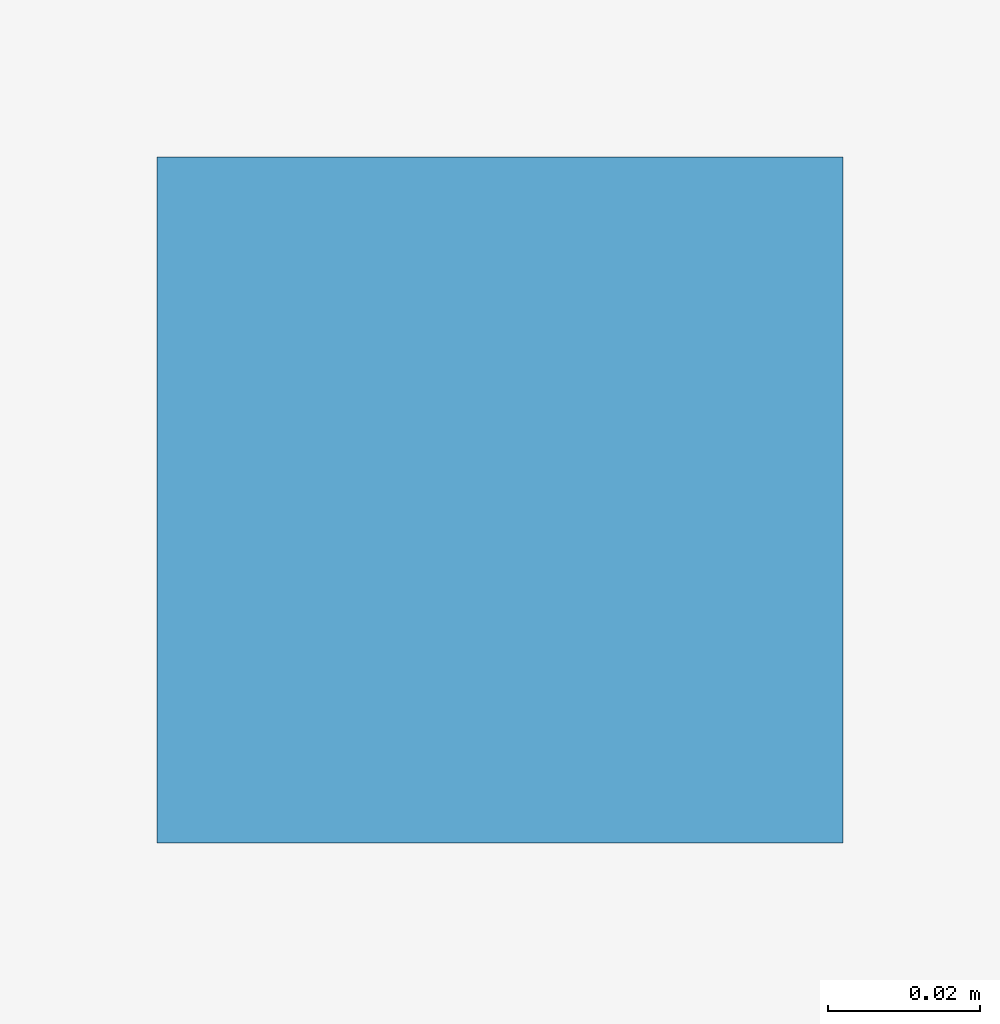
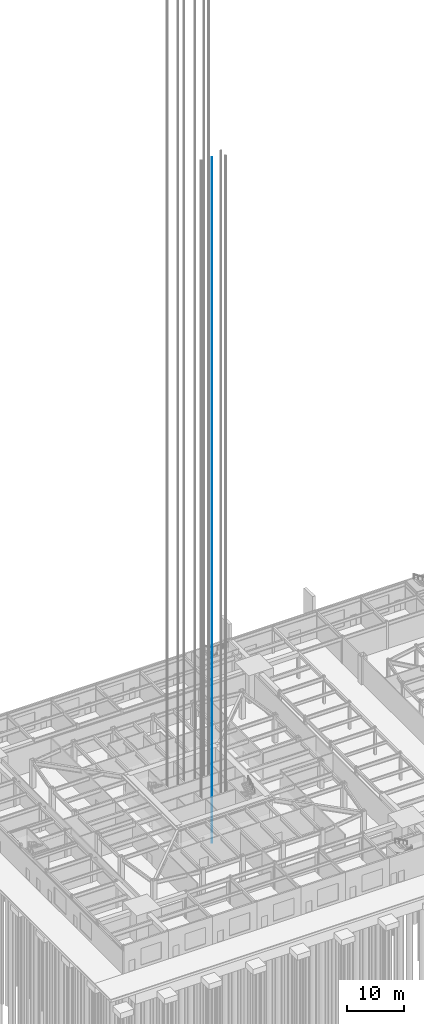
# One storey, part 24 of 37: 1 discrete accessory.
"""IFC4 building model written with IfcOpenShell, lengths in metres."""

from ifc_helpers import new_model, si_unit, direction, frame, origin, origin_2d, place, context, subcontext, project, spatial, rectangle, extrude, material, element, save


model = new_model("IFC4")

# Units and contexts
model_context = context("Model", 3, precision=1e-05, world=origin(), true_north=direction((0.0, 1.0)))
body_context = subcontext(model_context, "Body", "Model", "MODEL_VIEW")
ifc_project = project(units=[si_unit("LENGTHUNIT", "METRE"), si_unit("AREAUNIT", "SQUARE_METRE"), si_unit("VOLUMEUNIT", "CUBIC_METRE"), si_unit("PLANEANGLEUNIT", "RADIAN"), si_unit("MASSUNIT", "GRAM", prefix="KILO")], contexts=[model_context])

# Site, building, storey
site_placement = place(None, origin())
site = spatial("IfcSite", under=ifc_project, at=site_placement, CompositionType="ELEMENT")
building_placement = place(site_placement, origin())
building = spatial("IfcBuilding", under=site, at=building_placement, Name="Iwan Alto Co-Living Towers", CompositionType="ELEMENT")
storey_placement = place(building_placement, origin())
storey = spatial("IfcBuildingStorey", under=building, at=storey_placement, Name="L00", CompositionType="ELEMENT", Elevation=0.0)

# Discrete accessory
ifc_material = material(Name="Steel ASTM A36", Category="steel")
placement = place(storey_placement, frame((0.012451171875, -3.0, 0.0), z_axis=(0.0, 0.0, 1.0), x_axis=(1.0, 0.0, 0.0)))
discrete_accessory_placement = place(placement, origin())
element("IfcDiscreteAccessory", 1, at=discrete_accessory_placement, inside=storey, material=ifc_material, Name="Lift P2-3 guide rail 2", ObjectType="Lift guide rail", PredefinedType="USERDEFINED", context=body_context, shape_type="SweptSolid", body=[
    extrude(rectangle(XDim=0.09, YDim=0.09, at=origin_2d()), frame((1.10009765625, 0.0, -5.0)), (0.0, 0.0, 1.0), 147.39990234375),
])

save(model, "model.ifc")
